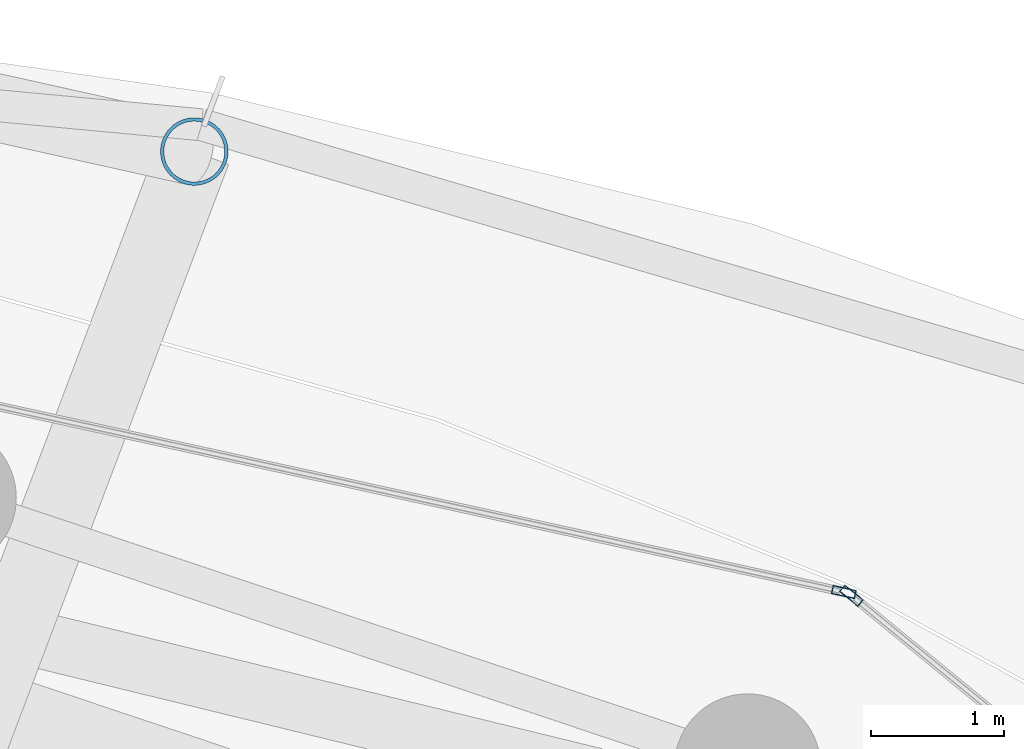
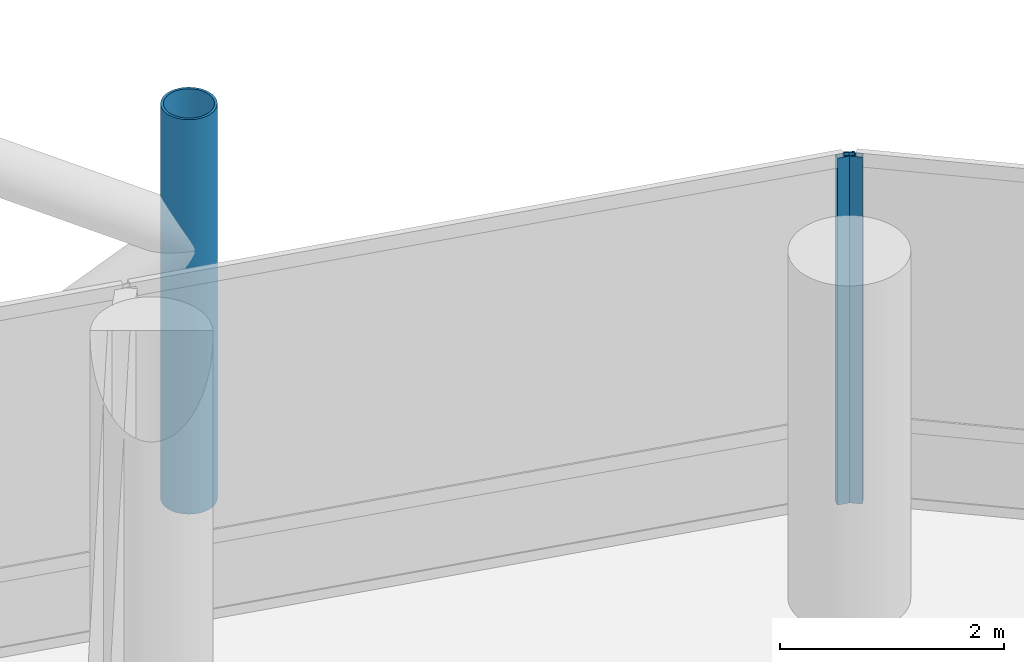
# One storey, part 26 of 37: 3 members, 2 elements without a shape of their own.
"""IFC4 building model written with IfcOpenShell, lengths in metres."""

import ifcopenshell
import ifcopenshell.guid

model = None  # the IFC model being written
_history = None  # IfcOwnerHistory: only IFC2X3 demands one
_inside = {}  # id of a spatial element -> (the spatial element, [elements in it])
_under = {}  # id of a project, library or spatial element -> (it, [spatial elements below it])
_declared = {}  # id of a project -> (the project, [libraries it declares])
_typed = {}  # id of a type object -> (the type object, [elements of that type])
_made_of = {}  # id of a material, layer set ... -> (it, [elements and type objects made of it])


def new_model(schema):
    """Start an empty IFC model of exactly this schema.

    Asked for "IFC4X3", IfcOpenShell would pick the latest addendum, in which some entities
    have other attributes; the version numbers below select the first issue.
    IFC2X3 requires an IfcOwnerHistory on every rooted entity: one is made here for all.
    """
    global model, _history
    if schema == "IFC4X3":
        model = ifcopenshell.file(schema_version=(4, 3, 0, 0))
    else:
        model = ifcopenshell.file(schema=schema)
    _inside.clear()
    _under.clear()
    _declared.clear()
    _typed.clear()
    _made_of.clear()
    _history = None
    if model.schema == "IFC2X3":
        org = make("IfcOrganization", Name="unknown")
        user = make(
            "IfcPersonAndOrganization",
            ThePerson=make("IfcPerson", FamilyName="unknown"),
            TheOrganization=org,
        )
        app = make(
            "IfcApplication",
            ApplicationDeveloper=org,
            Version="unknown",
            ApplicationFullName="unknown",
            ApplicationIdentifier="unknown",
        )
        _history = make(
            "IfcOwnerHistory",
            OwningUser=user,
            OwningApplication=app,
            ChangeAction="ADDED",
            CreationDate=0,
        )
    return model


def make(cls, **values):
    """One entity of the class cls with the attributes given. An attribute that is None is left unset."""
    return model.create_entity(
        cls, **{name: value for name, value in values.items() if value is not None}
    )


def rooted(cls, **values):
    """An entity with a GlobalId (a new one), such as an element, a storey or a relation."""
    return make(cls, GlobalId=ifcopenshell.guid.new(), OwnerHistory=_history, **values)


def si_unit(unit_type, name, prefix=None):
    """IfcSIUnit, for example si_unit("LENGTHUNIT", "METRE", prefix="MILLI")."""
    return make("IfcSIUnit", UnitType=unit_type, Prefix=prefix, Name=name)


def assignment(units):
    """IfcUnitAssignment: the units of a project."""
    return None if units is None else make("IfcUnitAssignment", Units=units)


def point(xyz):
    """IfcCartesianPoint."""
    return None if xyz is None else make("IfcCartesianPoint", Coordinates=xyz)


def direction(xyz):
    """IfcDirection."""
    return None if xyz is None else make("IfcDirection", DirectionRatios=xyz)


def frame(location, z_axis=None, x_axis=None):
    """IfcAxis2Placement3D, a coordinate frame: its origin and axes. An axis left out is left unset."""
    return make(
        "IfcAxis2Placement3D",
        Location=point(location),
        Axis=direction(z_axis),
        RefDirection=direction(x_axis),
    )


def frame_2d(location, x_axis=None):
    """IfcAxis2Placement2D, a coordinate frame in the plane: its origin and x axis."""
    return make(
        "IfcAxis2Placement2D", Location=point(location), RefDirection=direction(x_axis)
    )


def origin():
    """The frame at (0, 0, 0) with its axes left unset."""
    return frame((0.0, 0.0, 0.0))


def origin_2d():
    """The frame at (0, 0) in the plane with its x axis left unset."""
    return frame_2d((0.0, 0.0))


def place(relative_to, where):
    """IfcLocalPlacement: puts the frame where relative to a parent placement (None: the world)."""
    return make(
        "IfcLocalPlacement", PlacementRelTo=relative_to, RelativePlacement=where
    )


def context(
    kind, dimensions, precision=None, world=None, true_north=None, identifier=None
):
    """IfcGeometricRepresentationContext, for example the 3D "Model" context."""
    return make(
        "IfcGeometricRepresentationContext",
        ContextIdentifier=identifier,
        ContextType=kind,
        CoordinateSpaceDimension=dimensions,
        Precision=precision,
        WorldCoordinateSystem=world,
        TrueNorth=true_north,
    )


def subcontext(parent, identifier, kind, view, scale=None):
    """IfcGeometricRepresentationSubContext, for example "Body" below "Model"."""
    return make(
        "IfcGeometricRepresentationSubContext",
        ContextIdentifier=identifier,
        ContextType=kind,
        ParentContext=parent,
        TargetScale=scale,
        TargetView=view,
    )


def project(units=None, contexts=None):
    """IfcProject with its units and contexts."""
    return rooted(
        "IfcProject",
        Name="project",
        RepresentationContexts=contexts,
        UnitsInContext=assignment(units),
    )


def spatial(cls, under=None, at=None, **own):
    """A site, building, storey or space (cls), placed at a placement, below another one or the project."""
    s = rooted(cls, ObjectPlacement=at, **own)
    if under is not None:
        _under.setdefault(under.id(), (under, []))[1].append(s)
    return s


def profile(cls, at=None, kind="AREA", **sizes):
    """A parametric profile (cls). Its sizes go by their IFC names, for example OverallWidth=200.0."""
    return make(cls, ProfileType=kind, Position=at, **sizes)


def hollow_rectangle(**sizes):
    """IfcRectangleHollowProfileDef."""
    return profile("IfcRectangleHollowProfileDef", **sizes)


def hollow_circle(**sizes):
    """IfcCircleHollowProfileDef."""
    return profile("IfcCircleHollowProfileDef", **sizes)


def extrude(swept, where, along, depth):
    """IfcExtrudedAreaSolid: the profile swept, set in the frame where, extruded along a direction by depth."""
    return make(
        "IfcExtrudedAreaSolid",
        SweptArea=swept,
        Position=where,
        ExtrudedDirection=direction(along),
        Depth=depth,
    )


def shape(context_of_items, identifier, shape_type, items):
    """IfcShapeRepresentation: the items that make up one representation, for example the "Body"."""
    return make(
        "IfcShapeRepresentation",
        ContextOfItems=context_of_items,
        RepresentationIdentifier=identifier,
        RepresentationType=shape_type,
        Items=items,
    )


def material(Name=None, Category=None):
    """IfcMaterial."""
    return make("IfcMaterial", Name=Name, Category=Category)


def layer(
    of_material, thickness, ventilated=None, Name=None, Category=None, Priority=None
):
    """IfcMaterialLayer: one layer of a wall or slab, of a material (None: an air gap)."""
    return make(
        "IfcMaterialLayer",
        Material=of_material,
        LayerThickness=thickness,
        IsVentilated=ventilated,
        Name=Name,
        Category=Category,
        Priority=Priority,
    )


def layer_set(layers, Name=None):
    """IfcMaterialLayerSet."""
    return make("IfcMaterialLayerSet", MaterialLayers=layers, LayerSetName=Name)


def material_profile(
    of_material, cross_section, Name=None, Category=None, Priority=None
):
    """IfcMaterialProfile: a cross section and its material."""
    return make(
        "IfcMaterialProfile",
        Name=Name,
        Material=of_material,
        Profile=cross_section,
        Priority=Priority,
        Category=Category,
    )


def profile_set(profiles, Name=None, composite=None):
    """IfcMaterialProfileSet."""
    return make(
        "IfcMaterialProfileSet",
        Name=Name,
        MaterialProfiles=profiles,
        CompositeProfile=composite,
    )


def made_of(thing, what):
    """Note that an element or type object is made of a material, layer set ...; save() writes the relation."""
    if what is not None:
        _made_of.setdefault(what.id(), (what, []))[1].append(thing)
    return thing


def type_object(cls, material=None, **own):
    """A type object (cls), such as IfcWallType, which elements share."""
    return made_of(rooted(cls, **own), material)


def element(
    cls,
    number,
    at=None,
    inside=None,
    cuts=None,
    type_object=None,
    material=None,
    context=None,
    identifier="Body",
    shape_type=None,
    held_by="IfcProductDefinitionShape",
    body=None,
    shapes=None,
    **own,
):
    """One element of the class cls, such as IfcWall. Its Tag is "e" and its number.

    at: its placement. inside: the storey or other place that contains it. cuts: it is an
    opening in that element (IfcRelVoidsElement). A single representation is given by context,
    identifier, shape_type and body (its items); several are given by shapes. held_by: the class
    of the entity that holds the representations. save() writes the other relations.
    """
    e = rooted(cls, Tag="e%d" % number, ObjectPlacement=at, **own)
    if body is not None:
        shapes = [shape(context, identifier, shape_type, body)]
    if shapes is not None:
        e.Representation = make(held_by, Representations=shapes)
    if inside is not None:
        _inside.setdefault(inside.id(), (inside, []))[1].append(e)
    if cuts is not None:
        rooted(
            "IfcRelVoidsElement", RelatingBuildingElement=cuts, RelatedOpeningElement=e
        )
    if type_object is not None:
        _typed.setdefault(type_object.id(), (type_object, []))[1].append(e)
    return made_of(e, material)


def aggregate(whole, parts):
    """IfcRelAggregates: a whole, such as a stair, and the parts it consists of."""
    return rooted("IfcRelAggregates", RelatingObject=whole, RelatedObjects=parts)


def save(model, path):
    """Write the relations noted so far, then the file.

    IfcRelAggregates (storeys below a building ...), IfcRelContainedInSpatialStructure (elements
    in a storey), IfcRelDefinesByType, IfcRelAssociatesMaterial and IfcRelDeclares: one each for
    every whole, place, type object, material and project.
    """
    for whole, parts in _under.values():
        aggregate(whole, parts)
    for where, things in _inside.values():
        rooted(
            "IfcRelContainedInSpatialStructure",
            RelatedElements=things,
            RelatingStructure=where,
        )
    for kind, things in _typed.values():
        rooted("IfcRelDefinesByType", RelatedObjects=things, RelatingType=kind)
    for what, things in _made_of.values():
        rooted("IfcRelAssociatesMaterial", RelatedObjects=things, RelatingMaterial=what)
    for by, libraries in _declared.values():
        rooted("IfcRelDeclares", RelatingContext=by, RelatedDefinitions=libraries)
    model.write(path)


model = new_model("IFC4")

# Units and contexts
model_context = context("Model", 3, precision=1e-05, world=origin(), true_north=direction((0.0, 1.0)))
body_context = subcontext(model_context, "Body", "Model", "MODEL_VIEW")
ifc_project = project(units=[si_unit("LENGTHUNIT", "METRE"), si_unit("AREAUNIT", "SQUARE_METRE"), si_unit("VOLUMEUNIT", "CUBIC_METRE"), si_unit("PLANEANGLEUNIT", "RADIAN"), si_unit("MASSUNIT", "GRAM", prefix="KILO")], contexts=[model_context])

# Site, building, storey
site_placement = place(None, origin())
site = spatial("IfcSite", under=ifc_project, at=site_placement, CompositionType="ELEMENT")
building_placement = place(site_placement, origin())
building = spatial("IfcBuilding", under=site, at=building_placement, Name="Nuhasar Tower", CompositionType="ELEMENT")
storey_placement = place(building_placement, frame((0.0, 0.0, 21.0)))
storey = spatial("IfcBuildingStorey", under=building, at=storey_placement, Name="L04", CompositionType="ELEMENT", Elevation=21.0)

# Curtain wall, member
ifc_material_1 = material(Name="Aluminium 6063-T6", Category="aluminium")
ifc_layer = layer(ifc_material_1, 0.199951171875)
ifc_layer_set = layer_set([ifc_layer], Name="Aluminium 6063-T6")
curtain_wall_type = type_object("IfcCurtainWallType", Name="CW-Z1-OFF", PredefinedType="NOTDEFINED", material=ifc_layer_set)
curtain_wall_1_placement = place(storey_placement, origin())
curtain_wall_1 = element("IfcCurtainWall", 1, at=curtain_wall_1_placement, inside=storey, type_object=curtain_wall_type, Name="L04 Unitised Curtain Wall 02", PredefinedType="NOTDEFINED")
ifc_material_profile_1 = material_profile(ifc_material_1, hollow_rectangle(XDim=0.06494140625, YDim=0.179931640625, WallThickness=0.0048828125, at=origin_2d()), Name="CWM-2")
ifc_profile_set_1 = profile_set([ifc_material_profile_1], Name="Aluminium 6063-T6")
member_type_1 = type_object("IfcMemberType", Name="CW-MUL-S2", PredefinedType="MULLION", material=ifc_profile_set_1)
member_1_placement = place(storey_placement, frame((52.30517578125, 45.62451171875, 0.0), z_axis=(0.0, 0.0, 1.0), x_axis=(-0.633744593376, -0.773542364946, 0.0)))
member_1 = element("IfcMember", 2, at=member_1_placement, type_object=member_type_1, Name="CW-Z1 mullion 2", PredefinedType="MULLION", context=body_context, shape_type="SweptSolid", body=[
    extrude(hollow_rectangle(XDim=0.06494140625, YDim=0.179931640625, WallThickness=0.0048828125, at=origin_2d()), origin(), (0.0, 0.0, 1.0), 3.7900390625),
])
aggregate(curtain_wall_1, [member_1])

curtain_wall_2_placement = place(storey_placement, origin())
curtain_wall_2 = element("IfcCurtainWall", 3, at=curtain_wall_2_placement, inside=storey, type_object=curtain_wall_type, Name="L04 Unitised Curtain Wall 03", PredefinedType="NOTDEFINED")
member_2_placement = place(storey_placement, frame((52.248291015625, 45.65185546875, 0.0), z_axis=(0.0, 0.0, 1.0), x_axis=(-0.214398737637, -0.976746221544, 0.0)))
member_2 = element("IfcMember", 4, at=member_2_placement, type_object=member_type_1, Name="CW-Z1 mullion 1", PredefinedType="MULLION", context=body_context, shape_type="SweptSolid", body=[
    extrude(hollow_rectangle(XDim=0.06494140625, YDim=0.179931640625, WallThickness=0.0048828125, at=origin_2d()), origin(), (0.0, 0.0, 1.0), 3.7900390625),
])
aggregate(curtain_wall_2, [member_2])

# Member
ifc_material_2 = material(Name="Steel S460", Category="steel")
ifc_material_profile_2 = material_profile(ifc_material_2, hollow_circle(Radius=0.25390625, WallThickness=0.025390625, at=origin_2d()), Name="HSS508X25.4")
ifc_profile_set_2 = profile_set([ifc_material_profile_2], Name="Steel S460")
member_type_2 = type_object("IfcMemberType", Name="EXO-BRONZE-508", PredefinedType="BRACE", material=ifc_profile_set_2)
member_3_placement = place(storey_placement, frame((47.3701171875, 48.9599609375, -0.260009765625), z_axis=(0.0, 0.0, 1.0), x_axis=(1.0, 0.0, 0.0)))
element("IfcMember", 5, at=member_3_placement, inside=storey, type_object=member_type_2, Name="L04 Exoskeleton Chord Column EC-03A", PredefinedType="BRACE", context=body_context, shape_type="SweptSolid", body=[
    extrude(hollow_circle(Radius=0.25390625, WallThickness=0.025390625, at=origin_2d()), origin(), (0.0, 0.0, 1.0), 4.31005859375),
])

save(model, "model.ifc")
